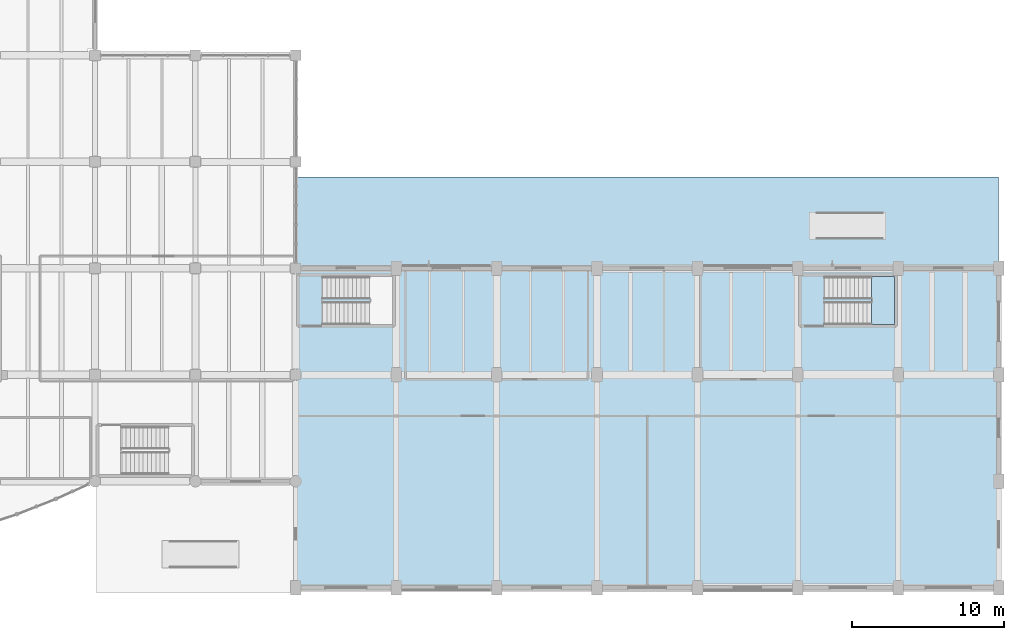
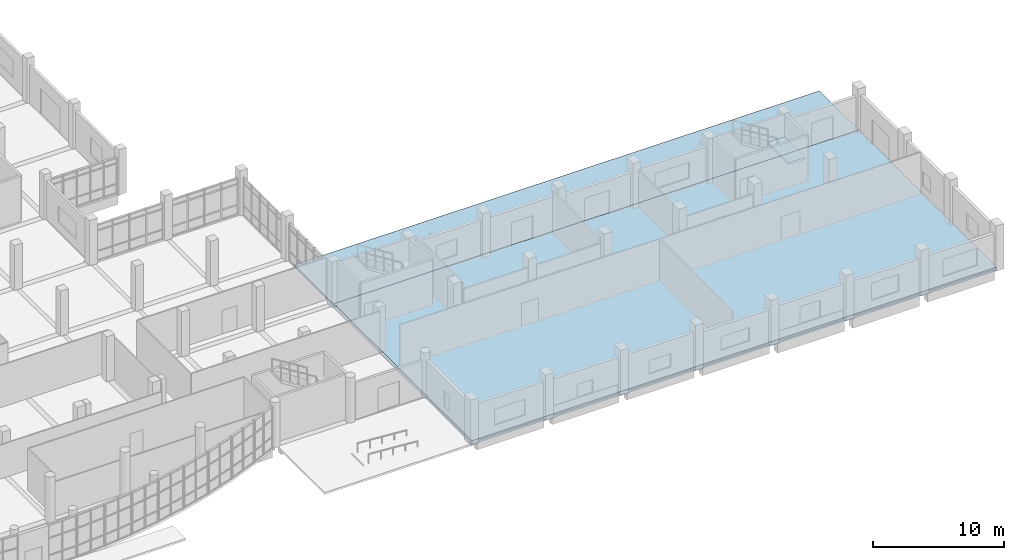
# One storey, part 41 of 69: 3 slabs, 1 element without a shape of its own.
"""IFC4 building model written with IfcOpenShell, lengths in metres."""

import ifcopenshell
import ifcopenshell.guid

model = None  # the IFC model being written
_history = None  # IfcOwnerHistory: only IFC2X3 demands one
_inside = {}  # id of a spatial element -> (the spatial element, [elements in it])
_under = {}  # id of a project, library or spatial element -> (it, [spatial elements below it])
_declared = {}  # id of a project -> (the project, [libraries it declares])
_typed = {}  # id of a type object -> (the type object, [elements of that type])
_made_of = {}  # id of a material, layer set ... -> (it, [elements and type objects made of it])


def new_model(schema):
    """Start an empty IFC model of exactly this schema.

    Asked for "IFC4X3", IfcOpenShell would pick the latest addendum, in which some entities
    have other attributes; the version numbers below select the first issue.
    IFC2X3 requires an IfcOwnerHistory on every rooted entity: one is made here for all.
    """
    global model, _history
    if schema == "IFC4X3":
        model = ifcopenshell.file(schema_version=(4, 3, 0, 0))
    else:
        model = ifcopenshell.file(schema=schema)
    _inside.clear()
    _under.clear()
    _declared.clear()
    _typed.clear()
    _made_of.clear()
    _history = None
    if model.schema == "IFC2X3":
        org = make("IfcOrganization", Name="unknown")
        user = make(
            "IfcPersonAndOrganization",
            ThePerson=make("IfcPerson", FamilyName="unknown"),
            TheOrganization=org,
        )
        app = make(
            "IfcApplication",
            ApplicationDeveloper=org,
            Version="unknown",
            ApplicationFullName="unknown",
            ApplicationIdentifier="unknown",
        )
        _history = make(
            "IfcOwnerHistory",
            OwningUser=user,
            OwningApplication=app,
            ChangeAction="ADDED",
            CreationDate=0,
        )
    return model


def make(cls, **values):
    """One entity of the class cls with the attributes given. An attribute that is None is left unset."""
    return model.create_entity(
        cls, **{name: value for name, value in values.items() if value is not None}
    )


def rooted(cls, **values):
    """An entity with a GlobalId (a new one), such as an element, a storey or a relation."""
    return make(cls, GlobalId=ifcopenshell.guid.new(), OwnerHistory=_history, **values)


def si_unit(unit_type, name, prefix=None):
    """IfcSIUnit, for example si_unit("LENGTHUNIT", "METRE", prefix="MILLI")."""
    return make("IfcSIUnit", UnitType=unit_type, Prefix=prefix, Name=name)


def assignment(units):
    """IfcUnitAssignment: the units of a project."""
    return None if units is None else make("IfcUnitAssignment", Units=units)


def point(xyz):
    """IfcCartesianPoint."""
    return None if xyz is None else make("IfcCartesianPoint", Coordinates=xyz)


def direction(xyz):
    """IfcDirection."""
    return None if xyz is None else make("IfcDirection", DirectionRatios=xyz)


def frame(location, z_axis=None, x_axis=None):
    """IfcAxis2Placement3D, a coordinate frame: its origin and axes. An axis left out is left unset."""
    return make(
        "IfcAxis2Placement3D",
        Location=point(location),
        Axis=direction(z_axis),
        RefDirection=direction(x_axis),
    )


def origin():
    """The frame at (0, 0, 0) with its axes left unset."""
    return frame((0.0, 0.0, 0.0))


def place(relative_to, where):
    """IfcLocalPlacement: puts the frame where relative to a parent placement (None: the world)."""
    return make(
        "IfcLocalPlacement", PlacementRelTo=relative_to, RelativePlacement=where
    )


def context(
    kind, dimensions, precision=None, world=None, true_north=None, identifier=None
):
    """IfcGeometricRepresentationContext, for example the 3D "Model" context."""
    return make(
        "IfcGeometricRepresentationContext",
        ContextIdentifier=identifier,
        ContextType=kind,
        CoordinateSpaceDimension=dimensions,
        Precision=precision,
        WorldCoordinateSystem=world,
        TrueNorth=true_north,
    )


def subcontext(parent, identifier, kind, view, scale=None):
    """IfcGeometricRepresentationSubContext, for example "Body" below "Model"."""
    return make(
        "IfcGeometricRepresentationSubContext",
        ContextIdentifier=identifier,
        ContextType=kind,
        ParentContext=parent,
        TargetScale=scale,
        TargetView=view,
    )


def project(units=None, contexts=None):
    """IfcProject with its units and contexts."""
    return rooted(
        "IfcProject",
        Name="project",
        RepresentationContexts=contexts,
        UnitsInContext=assignment(units),
    )


def spatial(cls, under=None, at=None, **own):
    """A site, building, storey or space (cls), placed at a placement, below another one or the project."""
    s = rooted(cls, ObjectPlacement=at, **own)
    if under is not None:
        _under.setdefault(under.id(), (under, []))[1].append(s)
    return s


def polyline(points):
    """IfcPolyline through the points."""
    return make("IfcPolyline", Points=[point(p) for p in points])


def outline(outer, holes=None, kind="AREA"):
    """IfcArbitraryClosedProfileDef: a profile drawn as a closed curve; with holes, ...WithVoids."""
    if holes is None:
        return make("IfcArbitraryClosedProfileDef", ProfileType=kind, OuterCurve=outer)
    return make(
        "IfcArbitraryProfileDefWithVoids",
        ProfileType=kind,
        OuterCurve=outer,
        InnerCurves=holes,
    )


def extrude(swept, where, along, depth):
    """IfcExtrudedAreaSolid: the profile swept, set in the frame where, extruded along a direction by depth."""
    return make(
        "IfcExtrudedAreaSolid",
        SweptArea=swept,
        Position=where,
        ExtrudedDirection=direction(along),
        Depth=depth,
    )


def shape(context_of_items, identifier, shape_type, items):
    """IfcShapeRepresentation: the items that make up one representation, for example the "Body"."""
    return make(
        "IfcShapeRepresentation",
        ContextOfItems=context_of_items,
        RepresentationIdentifier=identifier,
        RepresentationType=shape_type,
        Items=items,
    )


def material(Name=None, Category=None):
    """IfcMaterial."""
    return make("IfcMaterial", Name=Name, Category=Category)


def layer(
    of_material, thickness, ventilated=None, Name=None, Category=None, Priority=None
):
    """IfcMaterialLayer: one layer of a wall or slab, of a material (None: an air gap)."""
    return make(
        "IfcMaterialLayer",
        Material=of_material,
        LayerThickness=thickness,
        IsVentilated=ventilated,
        Name=Name,
        Category=Category,
        Priority=Priority,
    )


def layer_set(layers, Name=None):
    """IfcMaterialLayerSet."""
    return make("IfcMaterialLayerSet", MaterialLayers=layers, LayerSetName=Name)


def made_of(thing, what):
    """Note that an element or type object is made of a material, layer set ...; save() writes the relation."""
    if what is not None:
        _made_of.setdefault(what.id(), (what, []))[1].append(thing)
    return thing


def type_object(cls, material=None, **own):
    """A type object (cls), such as IfcWallType, which elements share."""
    return made_of(rooted(cls, **own), material)


def element(
    cls,
    number,
    at=None,
    inside=None,
    cuts=None,
    type_object=None,
    material=None,
    context=None,
    identifier="Body",
    shape_type=None,
    held_by="IfcProductDefinitionShape",
    body=None,
    shapes=None,
    **own,
):
    """One element of the class cls, such as IfcWall. Its Tag is "e" and its number.

    at: its placement. inside: the storey or other place that contains it. cuts: it is an
    opening in that element (IfcRelVoidsElement). A single representation is given by context,
    identifier, shape_type and body (its items); several are given by shapes. held_by: the class
    of the entity that holds the representations. save() writes the other relations.
    """
    e = rooted(cls, Tag="e%d" % number, ObjectPlacement=at, **own)
    if body is not None:
        shapes = [shape(context, identifier, shape_type, body)]
    if shapes is not None:
        e.Representation = make(held_by, Representations=shapes)
    if inside is not None:
        _inside.setdefault(inside.id(), (inside, []))[1].append(e)
    if cuts is not None:
        rooted(
            "IfcRelVoidsElement", RelatingBuildingElement=cuts, RelatedOpeningElement=e
        )
    if type_object is not None:
        _typed.setdefault(type_object.id(), (type_object, []))[1].append(e)
    return made_of(e, material)


def aggregate(whole, parts):
    """IfcRelAggregates: a whole, such as a stair, and the parts it consists of."""
    return rooted("IfcRelAggregates", RelatingObject=whole, RelatedObjects=parts)


def save(model, path):
    """Write the relations noted so far, then the file.

    IfcRelAggregates (storeys below a building ...), IfcRelContainedInSpatialStructure (elements
    in a storey), IfcRelDefinesByType, IfcRelAssociatesMaterial and IfcRelDeclares: one each for
    every whole, place, type object, material and project.
    """
    for whole, parts in _under.values():
        aggregate(whole, parts)
    for where, things in _inside.values():
        rooted(
            "IfcRelContainedInSpatialStructure",
            RelatedElements=things,
            RelatingStructure=where,
        )
    for kind, things in _typed.values():
        rooted("IfcRelDefinesByType", RelatedObjects=things, RelatingType=kind)
    for what, things in _made_of.values():
        rooted("IfcRelAssociatesMaterial", RelatedObjects=things, RelatingMaterial=what)
    for by, libraries in _declared.values():
        rooted("IfcRelDeclares", RelatingContext=by, RelatedDefinitions=libraries)
    model.write(path)


model = new_model("IFC4")

# Units and contexts
model_context = context("Model", 3, precision=1e-05, world=origin(), true_north=direction((0.0, 1.0)))
body_context = subcontext(model_context, "Body", "Model", "MODEL_VIEW")
ifc_project = project(units=[si_unit("LENGTHUNIT", "METRE"), si_unit("AREAUNIT", "SQUARE_METRE"), si_unit("VOLUMEUNIT", "CUBIC_METRE"), si_unit("PLANEANGLEUNIT", "RADIAN"), si_unit("MASSUNIT", "GRAM", prefix="KILO")], contexts=[model_context])

# Site, building, storey
site_placement = place(None, origin())
site = spatial("IfcSite", under=ifc_project, at=site_placement, CompositionType="ELEMENT")
building_placement = place(site_placement, origin())
building = spatial("IfcBuilding", under=site, at=building_placement, Name="Ciguamira Faculty of Natural Sciences", CompositionType="ELEMENT")
storey_placement = place(building_placement, origin())
storey = spatial("IfcBuildingStorey", under=building, at=storey_placement, Name="L00", CompositionType="ELEMENT", Elevation=0.0)

# Slabs
ifc_material_1 = material(Name="Precast concrete C35/45", Category="concrete")
ifc_layer_1 = layer(ifc_material_1, 0.179931640625, Name="Precast concrete C35/45")
ifc_layer_set_1 = layer_set([ifc_layer_1], Name="Precast concrete C35/45")
slab_type_1 = type_object("IfcSlabType", Name="PavingSlab_PV01", PredefinedType="BASESLAB", material=ifc_layer_set_1)
slab_1_placement = place(storey_placement, frame((0.0, 0.0, -0.179931640625)))
element("IfcSlab", 1, at=slab_1_placement, inside=storey, type_object=slab_type_1, Name="East Lecture Pavilion Walk", PredefinedType="BASESLAB", context=body_context, shape_type="SweptSolid", body=[
    extrude(outline(polyline([(123.300048828125, 24.0), (169.5, 24.0), (169.5, 30.0), (123.300048828125, 30.0), (123.300048828125, 24.0)])), origin(), (0.0, 0.0, 1.0), 0.179931640625),
])
ifc_material_2 = material(Name="Concrete C35/45", Category="concrete")
ifc_layer_2 = layer(ifc_material_2, 0.35009765625, Name="Concrete C35/45")
ifc_layer_set_2 = layer_set([ifc_layer_2], Name="Concrete C35/45")
slab_type_2 = type_object("IfcSlabType", Name="Slab_SB-02_350", PredefinedType="BASESLAB", material=ifc_layer_set_2)
slab_2_placement = place(storey_placement, frame((0.0, 0.0, -0.35009765625)))
element("IfcSlab", 2, at=slab_2_placement, inside=storey, type_object=slab_type_2, Name="L00 V1 structural slab", PredefinedType="BASESLAB", context=body_context, shape_type="SweptSolid", body=[
    extrude(outline(polyline([(123.35009765625, 3.0), (169.5, 3.0), (169.5, 24.0), (123.35009765625, 24.0), (123.35009765625, 3.0)])), origin(), (0.0, 0.0, 1.0), 0.35009765625),
])

# Stair, slab
ifc_material_3 = material(Name="Concrete C40/50", Category="concrete")
stair_type = type_object("IfcStairType", Name="Stair_STR-02", PredefinedType="HALF_TURN_STAIR", material=ifc_material_3)
stair_placement = place(storey_placement, origin())
stair = element("IfcStair", 3, at=stair_placement, inside=storey, type_object=stair_type, Name="L00 Lecture Pavilion East Stair", PredefinedType="HALF_TURN_STAIR")
ifc_layer_3 = layer(ifc_material_3, 0.199951171875, Name="Concrete C40/50")
ifc_layer_set_3 = layer_set([ifc_layer_3], Name="Concrete C40/50")
slab_type_3 = type_object("IfcSlabType", Name="StairLanding_SLD01", PredefinedType="LANDING", material=ifc_layer_set_3)
slab_3_placement = place(storey_placement, frame((0.0, 0.0, 1.89990234375)))
slab_3 = element("IfcSlab", 4, at=slab_3_placement, type_object=slab_type_3, Name="ST-L2 landing 1", PredefinedType="LANDING", context=body_context, shape_type="SweptSolid", body=[
    extrude(outline(polyline([(161.139892578125, 20.300048828125), (162.64990234375, 20.300048828125), (162.64990234375, 23.4599609375), (161.139892578125, 23.4599609375), (161.139892578125, 20.300048828125)])), origin(), (0.0, 0.0, 1.0), 0.2001953125),
])
aggregate(stair, [slab_3])

save(model, "model.ifc")
